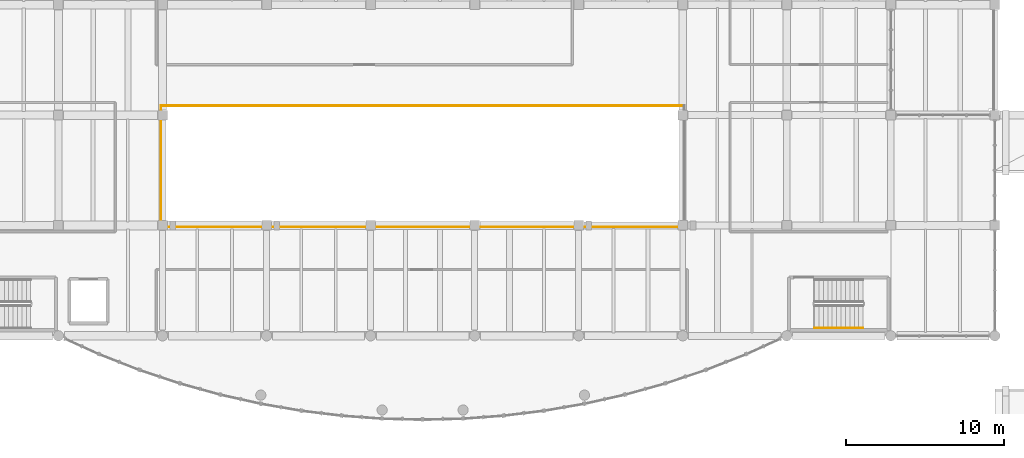
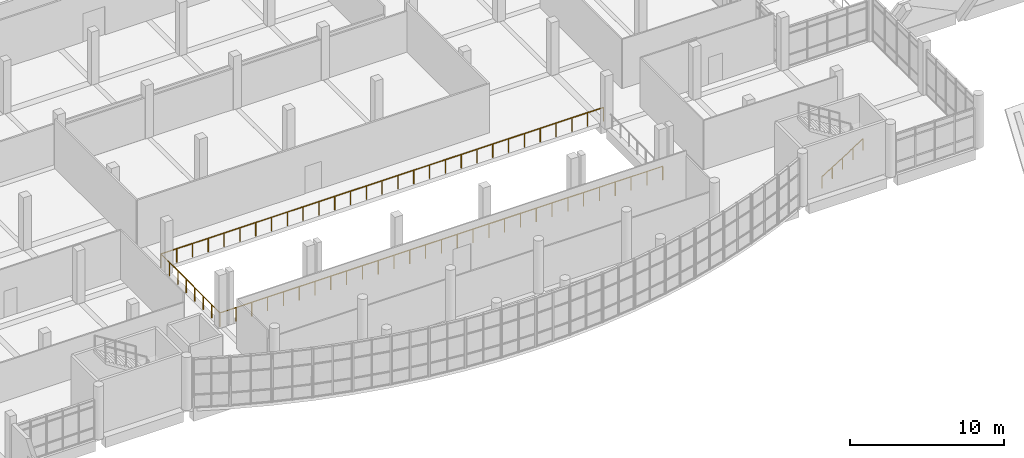
# One storey, part 62 of 67: 4 railings.
"""IFC4 building model written with IfcOpenShell, lengths in metres."""

from ifc_helpers import new_model, si_unit, direction, frame, origin, origin_2d, place, context, subcontext, project, spatial, circle, extrude, material, type_object, element, save


model = new_model("IFC4")

# Units and contexts
model_context = context("Model", 3, precision=1e-05, world=origin(), true_north=direction((0.0, 1.0)))
body_context = subcontext(model_context, "Body", "Model", "MODEL_VIEW")
ifc_project = project(units=[si_unit("LENGTHUNIT", "METRE"), si_unit("AREAUNIT", "SQUARE_METRE"), si_unit("VOLUMEUNIT", "CUBIC_METRE"), si_unit("PLANEANGLEUNIT", "RADIAN"), si_unit("MASSUNIT", "GRAM", prefix="KILO")], contexts=[model_context])

# Site, building, storey
site_placement = place(None, origin())
site = spatial("IfcSite", under=ifc_project, at=site_placement, CompositionType="ELEMENT")
building_placement = place(site_placement, origin())
building = spatial("IfcBuilding", under=site, at=building_placement, Name="Ciguamira Faculty of Natural Sciences", CompositionType="ELEMENT")
storey_placement = place(building_placement, frame((0.0, 0.0, 8.39990234375)))
storey = spatial("IfcBuildingStorey", under=building, at=storey_placement, Name="L02", CompositionType="ELEMENT", Elevation=8.39990234375)

# Railings
ifc_material_1 = material(Name="Stainless steel balustrade", Category="steel")
railing_type_1 = type_object("IfcRailingType", Name="Guardrail_GR01", PredefinedType="GUARDRAIL", material=ifc_material_1)
railing_1_placement = place(storey_placement, frame((70.39990234375, 16.89990234375, 0.0)))
element("IfcRailing", 1, at=railing_1_placement, inside=storey, type_object=railing_type_1, Name="L02 atrium void guardrail S", PredefinedType="GUARDRAIL", context=body_context, shape_type="SweptSolid", body=[
    extrude(circle(Radius=0.02392578125, at=origin_2d()), frame((0.0, 0.0, 1.076171875), z_axis=(1.0, 0.0, 0.0), x_axis=(0.0, 1.0, 0.0)), (0.0, 0.0, 1.0), 33.2001953125),
    extrude(circle(Radius=0.02099609375, at=origin_2d()), origin(), (0.0, 0.0, 1.0), 1.052001953125),
    extrude(circle(Radius=0.02099609375, at=origin_2d()), frame((1.185791015625, 0.0, 0.0)), (0.0, 0.0, 1.0), 1.052001953125),
    extrude(circle(Radius=0.02099609375, at=origin_2d()), frame((2.371337890625, 0.0, 0.0)), (0.0, 0.0, 1.0), 1.052001953125),
    extrude(circle(Radius=0.02099609375, at=origin_2d()), frame((3.55712890625, 0.0, 0.0)), (0.0, 0.0, 1.0), 1.052001953125),
    extrude(circle(Radius=0.02099609375, at=origin_2d()), frame((4.742919921875, 0.0, 0.0)), (0.0, 0.0, 1.0), 1.052001953125),
    extrude(circle(Radius=0.02099609375, at=origin_2d()), frame((5.9287109375, 0.0, 0.0)), (0.0, 0.0, 1.0), 1.052001953125),
    extrude(circle(Radius=0.02099609375, at=origin_2d()), frame((7.1142578125, 0.0, 0.0)), (0.0, 0.0, 1.0), 1.052001953125),
    extrude(circle(Radius=0.02099609375, at=origin_2d()), frame((8.300048828125, 0.0, 0.0)), (0.0, 0.0, 1.0), 1.052001953125),
    extrude(circle(Radius=0.02099609375, at=origin_2d()), frame((9.48583984375, 0.0, 0.0)), (0.0, 0.0, 1.0), 1.052001953125),
    extrude(circle(Radius=0.02099609375, at=origin_2d()), frame((10.67138671875, 0.0, 0.0)), (0.0, 0.0, 1.0), 1.052001953125),
    extrude(circle(Radius=0.02099609375, at=origin_2d()), frame((11.857177734375, 0.0, 0.0)), (0.0, 0.0, 1.0), 1.052001953125),
    extrude(circle(Radius=0.02099609375, at=origin_2d()), frame((13.04296875, 0.0, 0.0)), (0.0, 0.0, 1.0), 1.052001953125),
    extrude(circle(Radius=0.02099609375, at=origin_2d()), frame((14.228759765625, 0.0, 0.0)), (0.0, 0.0, 1.0), 1.052001953125),
    extrude(circle(Radius=0.02099609375, at=origin_2d()), frame((15.414306640625, 0.0, 0.0)), (0.0, 0.0, 1.0), 1.052001953125),
    extrude(circle(Radius=0.02099609375, at=origin_2d()), frame((16.60009765625, 0.0, 0.0)), (0.0, 0.0, 1.0), 1.052001953125),
    extrude(circle(Radius=0.02099609375, at=origin_2d()), frame((17.785888671875, 0.0, 0.0)), (0.0, 0.0, 1.0), 1.052001953125),
    extrude(circle(Radius=0.02099609375, at=origin_2d()), frame((18.971435546875, 0.0, 0.0)), (0.0, 0.0, 1.0), 1.052001953125),
    extrude(circle(Radius=0.02099609375, at=origin_2d()), frame((20.1572265625, 0.0, 0.0)), (0.0, 0.0, 1.0), 1.052001953125),
    extrude(circle(Radius=0.02099609375, at=origin_2d()), frame((21.343017578125, 0.0, 0.0)), (0.0, 0.0, 1.0), 1.052001953125),
    extrude(circle(Radius=0.02099609375, at=origin_2d()), frame((22.52880859375, 0.0, 0.0)), (0.0, 0.0, 1.0), 1.052001953125),
    extrude(circle(Radius=0.02099609375, at=origin_2d()), frame((23.71435546875, 0.0, 0.0)), (0.0, 0.0, 1.0), 1.052001953125),
    extrude(circle(Radius=0.02099609375, at=origin_2d()), frame((24.900146484375, 0.0, 0.0)), (0.0, 0.0, 1.0), 1.052001953125),
    extrude(circle(Radius=0.02099609375, at=origin_2d()), frame((26.0859375, 0.0, 0.0)), (0.0, 0.0, 1.0), 1.052001953125),
    extrude(circle(Radius=0.02099609375, at=origin_2d()), frame((27.271484375, 0.0, 0.0)), (0.0, 0.0, 1.0), 1.052001953125),
    extrude(circle(Radius=0.02099609375, at=origin_2d()), frame((28.457275390625, 0.0, 0.0)), (0.0, 0.0, 1.0), 1.052001953125),
    extrude(circle(Radius=0.02099609375, at=origin_2d()), frame((29.64306640625, 0.0, 0.0)), (0.0, 0.0, 1.0), 1.052001953125),
    extrude(circle(Radius=0.02099609375, at=origin_2d()), frame((30.828857421875, 0.0, 0.0)), (0.0, 0.0, 1.0), 1.052001953125),
    extrude(circle(Radius=0.02099609375, at=origin_2d()), frame((32.014404296875, 0.0, 0.0)), (0.0, 0.0, 1.0), 1.052001953125),
    extrude(circle(Radius=0.02099609375, at=origin_2d()), frame((33.2001953125, 0.0, 0.0)), (0.0, 0.0, 1.0), 1.052001953125),
])
railing_2_placement = place(storey_placement, frame((70.39990234375, 24.60009765625, 0.0)))
element("IfcRailing", 2, at=railing_2_placement, inside=storey, type_object=railing_type_1, Name="L02 atrium void guardrail N", PredefinedType="GUARDRAIL", context=body_context, shape_type="SweptSolid", body=[
    extrude(circle(Radius=0.02392578125, at=origin_2d()), frame((0.0, 0.0, 1.076171875), z_axis=(1.0, 0.0, 0.0), x_axis=(0.0, 1.0, 0.0)), (0.0, 0.0, 1.0), 33.2001953125),
    extrude(circle(Radius=0.02099609375, at=origin_2d()), origin(), (0.0, 0.0, 1.0), 1.052001953125),
    extrude(circle(Radius=0.02099609375, at=origin_2d()), frame((1.185791015625, 0.0, 0.0)), (0.0, 0.0, 1.0), 1.052001953125),
    extrude(circle(Radius=0.02099609375, at=origin_2d()), frame((2.371337890625, 0.0, 0.0)), (0.0, 0.0, 1.0), 1.052001953125),
    extrude(circle(Radius=0.02099609375, at=origin_2d()), frame((3.55712890625, 0.0, 0.0)), (0.0, 0.0, 1.0), 1.052001953125),
    extrude(circle(Radius=0.02099609375, at=origin_2d()), frame((4.742919921875, 0.0, 0.0)), (0.0, 0.0, 1.0), 1.052001953125),
    extrude(circle(Radius=0.02099609375, at=origin_2d()), frame((5.9287109375, 0.0, 0.0)), (0.0, 0.0, 1.0), 1.052001953125),
    extrude(circle(Radius=0.02099609375, at=origin_2d()), frame((7.1142578125, 0.0, 0.0)), (0.0, 0.0, 1.0), 1.052001953125),
    extrude(circle(Radius=0.02099609375, at=origin_2d()), frame((8.300048828125, 0.0, 0.0)), (0.0, 0.0, 1.0), 1.052001953125),
    extrude(circle(Radius=0.02099609375, at=origin_2d()), frame((9.48583984375, 0.0, 0.0)), (0.0, 0.0, 1.0), 1.052001953125),
    extrude(circle(Radius=0.02099609375, at=origin_2d()), frame((10.67138671875, 0.0, 0.0)), (0.0, 0.0, 1.0), 1.052001953125),
    extrude(circle(Radius=0.02099609375, at=origin_2d()), frame((11.857177734375, 0.0, 0.0)), (0.0, 0.0, 1.0), 1.052001953125),
    extrude(circle(Radius=0.02099609375, at=origin_2d()), frame((13.04296875, 0.0, 0.0)), (0.0, 0.0, 1.0), 1.052001953125),
    extrude(circle(Radius=0.02099609375, at=origin_2d()), frame((14.228759765625, 0.0, 0.0)), (0.0, 0.0, 1.0), 1.052001953125),
    extrude(circle(Radius=0.02099609375, at=origin_2d()), frame((15.414306640625, 0.0, 0.0)), (0.0, 0.0, 1.0), 1.052001953125),
    extrude(circle(Radius=0.02099609375, at=origin_2d()), frame((16.60009765625, 0.0, 0.0)), (0.0, 0.0, 1.0), 1.052001953125),
    extrude(circle(Radius=0.02099609375, at=origin_2d()), frame((17.785888671875, 0.0, 0.0)), (0.0, 0.0, 1.0), 1.052001953125),
    extrude(circle(Radius=0.02099609375, at=origin_2d()), frame((18.971435546875, 0.0, 0.0)), (0.0, 0.0, 1.0), 1.052001953125),
    extrude(circle(Radius=0.02099609375, at=origin_2d()), frame((20.1572265625, 0.0, 0.0)), (0.0, 0.0, 1.0), 1.052001953125),
    extrude(circle(Radius=0.02099609375, at=origin_2d()), frame((21.343017578125, 0.0, 0.0)), (0.0, 0.0, 1.0), 1.052001953125),
    extrude(circle(Radius=0.02099609375, at=origin_2d()), frame((22.52880859375, 0.0, 0.0)), (0.0, 0.0, 1.0), 1.052001953125),
    extrude(circle(Radius=0.02099609375, at=origin_2d()), frame((23.71435546875, 0.0, 0.0)), (0.0, 0.0, 1.0), 1.052001953125),
    extrude(circle(Radius=0.02099609375, at=origin_2d()), frame((24.900146484375, 0.0, 0.0)), (0.0, 0.0, 1.0), 1.052001953125),
    extrude(circle(Radius=0.02099609375, at=origin_2d()), frame((26.0859375, 0.0, 0.0)), (0.0, 0.0, 1.0), 1.052001953125),
    extrude(circle(Radius=0.02099609375, at=origin_2d()), frame((27.271484375, 0.0, 0.0)), (0.0, 0.0, 1.0), 1.052001953125),
    extrude(circle(Radius=0.02099609375, at=origin_2d()), frame((28.457275390625, 0.0, 0.0)), (0.0, 0.0, 1.0), 1.052001953125),
    extrude(circle(Radius=0.02099609375, at=origin_2d()), frame((29.64306640625, 0.0, 0.0)), (0.0, 0.0, 1.0), 1.052001953125),
    extrude(circle(Radius=0.02099609375, at=origin_2d()), frame((30.828857421875, 0.0, 0.0)), (0.0, 0.0, 1.0), 1.052001953125),
    extrude(circle(Radius=0.02099609375, at=origin_2d()), frame((32.014404296875, 0.0, 0.0)), (0.0, 0.0, 1.0), 1.052001953125),
    extrude(circle(Radius=0.02099609375, at=origin_2d()), frame((33.2001953125, 0.0, 0.0)), (0.0, 0.0, 1.0), 1.052001953125),
])
railing_3_placement = place(storey_placement, frame((70.39990234375, 16.89990234375, 0.0)))
element("IfcRailing", 3, at=railing_3_placement, inside=storey, type_object=railing_type_1, Name="L02 atrium void guardrail W", PredefinedType="GUARDRAIL", context=body_context, shape_type="SweptSolid", body=[
    extrude(circle(Radius=0.02392578125, at=origin_2d()), frame((0.0, 0.0, 1.076171875), z_axis=(0.0, 1.0, 0.0), x_axis=(-1.0, 0.0, 0.0)), (0.0, 0.0, 1.0), 7.7001953125),
    extrude(circle(Radius=0.02099609375, at=origin_2d()), origin(), (0.0, 0.0, 1.0), 1.052001953125),
    extrude(circle(Radius=0.02099609375, at=origin_2d()), frame((0.0, 1.10009765625, 0.0)), (0.0, 0.0, 1.0), 1.052001953125),
    extrude(circle(Radius=0.02099609375, at=origin_2d()), frame((0.0, 2.199951171875, 0.0)), (0.0, 0.0, 1.0), 1.052001953125),
    extrude(circle(Radius=0.02099609375, at=origin_2d()), frame((0.0, 3.300048828125, 0.0)), (0.0, 0.0, 1.0), 1.052001953125),
    extrude(circle(Radius=0.02099609375, at=origin_2d()), frame((0.0, 4.400146484375, 0.0)), (0.0, 0.0, 1.0), 1.052001953125),
    extrude(circle(Radius=0.02099609375, at=origin_2d()), frame((0.0, 5.500244140625, 0.0)), (0.0, 0.0, 1.0), 1.052001953125),
    extrude(circle(Radius=0.02099609375, at=origin_2d()), frame((0.0, 6.60009765625, 0.0)), (0.0, 0.0, 1.0), 1.052001953125),
    extrude(circle(Radius=0.02099609375, at=origin_2d()), frame((0.0, 7.7001953125, 0.0)), (0.0, 0.0, 1.0), 1.052001953125),
])
ifc_material_2 = material(Name="Stainless steel handrail", Category="steel")
railing_type_2 = type_object("IfcRailingType", Name="Handrail_HR01", PredefinedType="HANDRAIL", material=ifc_material_2)
railing_4_placement = place(storey_placement, frame((111.860107421875, 10.5, 0.35009765625)))
element("IfcRailing", 4, at=railing_4_placement, inside=storey, type_object=railing_type_2, Name="L02 ST-A2 stair handrail 1", PredefinedType="HANDRAIL", context=body_context, shape_type="SweptSolid", body=[
    extrude(circle(Radius=0.02392578125, at=origin_2d()), frame((0.0, 0.0, 0.89111328125), z_axis=(0.847979421464, 0.0, 0.530029150871), x_axis=(0.0, 1.0, 0.0)), (0.0, 0.0, 1.0), 3.632080078125),
    extrude(circle(Radius=0.02099609375, at=origin_2d()), origin(), (0.0, 0.0, 1.0), 0.866943359375),
    extrude(circle(Radius=0.02099609375, at=origin_2d()), frame((0.77001953125, 0.0, 0.481201171875)), (0.0, 0.0, 1.0), 0.866943359375),
    extrude(circle(Radius=0.02099609375, at=origin_2d()), frame((1.5400390625, 0.0, 0.96240234375)), (0.0, 0.0, 1.0), 0.866943359375),
    extrude(circle(Radius=0.02099609375, at=origin_2d()), frame((2.309814453125, 0.0, 1.44384765625)), (0.0, 0.0, 1.0), 0.866943359375),
    extrude(circle(Radius=0.02099609375, at=origin_2d()), frame((3.079833984375, 0.0, 1.925048828125)), (0.0, 0.0, 1.0), 0.866943359375),
])

save(model, "model.ifc")
